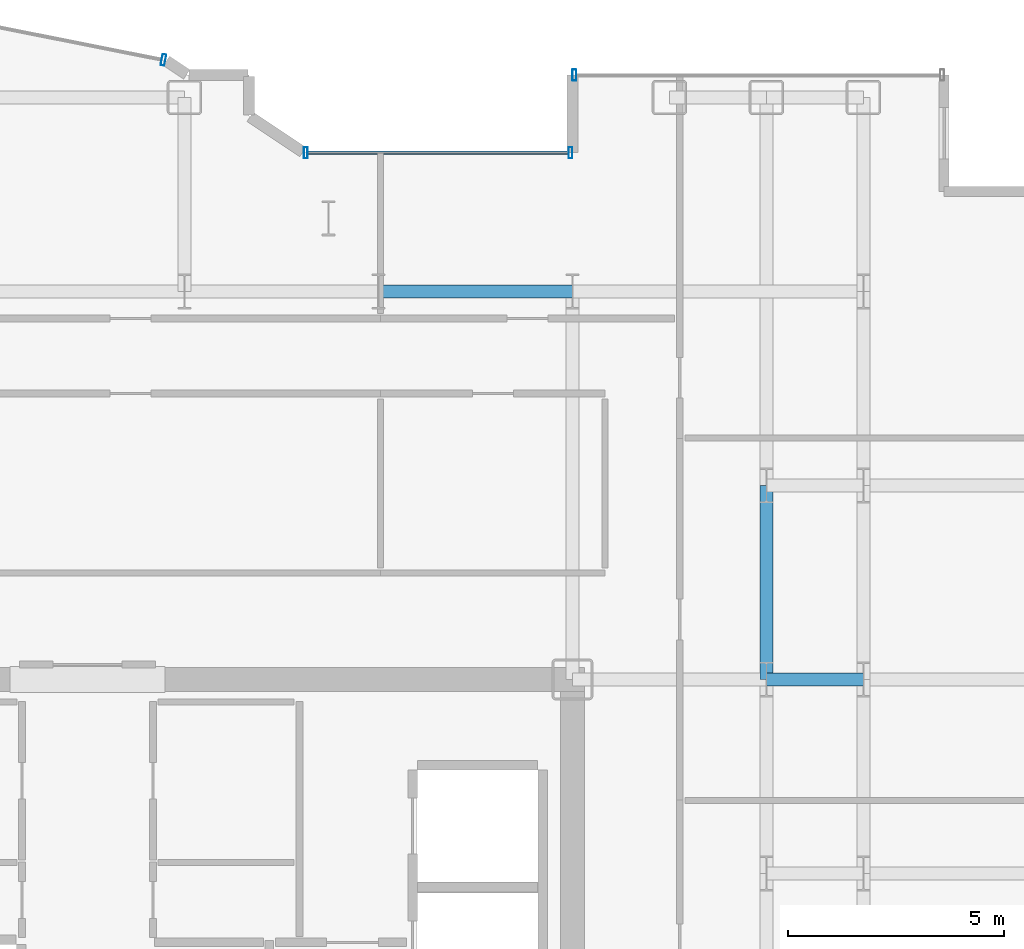
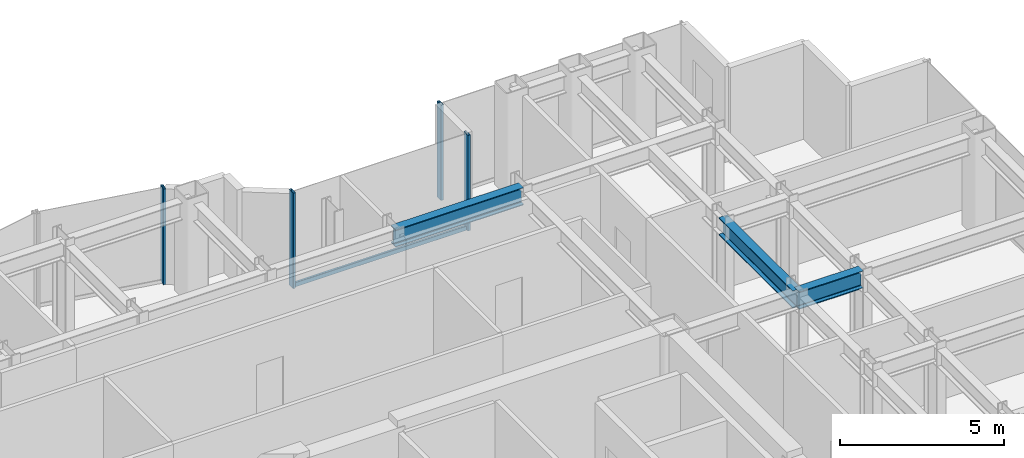
# One storey, part 13 of 23: 5 members, 3 beams, 3 elements without a shape of their own.
"""IFC4 building model written with IfcOpenShell, lengths in metres."""

from ifc_helpers import new_model, si_unit, direction, frame, origin, origin_2d, place, context, subcontext, project, spatial, hollow_rectangle, i_section, extrude, source, transform, mapped, material, layer, layer_set, material_profile, profile_set, type_object, element, aggregate, save


model = new_model("IFC4")

# Units and contexts
model_context = context("Model", 3, precision=1e-05, world=origin(), true_north=direction((0.0, 1.0)))
body_context = subcontext(model_context, "Body", "Model", "MODEL_VIEW")
ifc_project = project(units=[si_unit("LENGTHUNIT", "METRE"), si_unit("AREAUNIT", "SQUARE_METRE"), si_unit("VOLUMEUNIT", "CUBIC_METRE"), si_unit("PLANEANGLEUNIT", "RADIAN"), si_unit("MASSUNIT", "GRAM", prefix="KILO")], contexts=[model_context])

# Site, building, storey
site_placement = place(None, origin())
site = spatial("IfcSite", under=ifc_project, at=site_placement, CompositionType="ELEMENT")
building_placement = place(site_placement, origin())
building = spatial("IfcBuilding", under=site, at=building_placement, Name="Nefas-Gora Pilgrimage Tower", CompositionType="ELEMENT")
storey_placement = place(building_placement, frame((0.0, 0.0, 167.800048828125)))
storey = spatial("IfcBuildingStorey", under=building, at=storey_placement, Name="L41", CompositionType="ELEMENT", Elevation=167.800048828125)

# Beams
ifc_material_1 = material(Name="Steel S355", Category="steel")
ifc_material_profile_1 = material_profile(ifc_material_1, i_section(OverallWidth=0.300048828125, OverallDepth=0.64990234375, WebThickness=0.01611328125, FlangeThickness=0.031005859375, FilletRadius=0.027099609375, at=origin_2d()), Name="HEB 650")
ifc_profile_set_1 = profile_set([ifc_material_profile_1], Name="Steel S355")
beam_type = type_object("IfcBeamType", Name="BM-GIR-HEB650", PredefinedType="BEAM", material=ifc_profile_set_1)
shared_shape_1 = source(origin(), body_context, "Body", "SweptSolid", [
    extrude(i_section(OverallWidth=0.300048828125, OverallDepth=0.64990234375, WebThickness=0.01611328125, FlangeThickness=0.031005859375, FilletRadius=0.027099609375, at=origin_2d()), origin(), (0.0, 0.0, 1.0), 4.5),
])
for number, where, z_axis, x_axis, name in (
    (1, (6.75, 18.0, 3.224853515625), (1.0, 0.0, 0.0), (0.0, 1.0, 0.0), "L41 G-03 beam"),
    (2, (15.75, 9.0, 3.224853515625), (0.0, 1.0, 0.0), (-1.0, 0.0, 0.0), "L41 G-03 beam"),
):
    element("IfcBeam", number, at=place(storey_placement, frame(where, z_axis=z_axis, x_axis=x_axis)), inside=storey, type_object=beam_type, Name=name, PredefinedType="BEAM", context=body_context, shape_type="MappedRepresentation", body=[
        mapped(shared_shape_1, transform((0.0, 0.0, 0.0), x_axis=(1.0, 0.0, 0.0), y_axis=(0.0, 1.0, 0.0), z_axis=(0.0, 0.0, 1.0), scale=1.0)),
    ])
shared_shape_2 = source(origin(), body_context, "Body", "SweptSolid", [
    extrude(i_section(OverallWidth=0.300048828125, OverallDepth=0.64990234375, WebThickness=0.01611328125, FlangeThickness=0.031005859375, FilletRadius=0.027099609375, at=origin_2d()), origin(), (0.0, 0.0, 1.0), 2.25),
])
beam_placement = place(storey_placement, frame((15.75, 9.0, 3.224853515625), z_axis=(1.0, 0.0, 0.0), x_axis=(0.0, 1.0, 0.0)))
element("IfcBeam", 3, at=beam_placement, inside=storey, type_object=beam_type, Name="L41 G-03 beam", PredefinedType="BEAM", context=body_context, shape_type="MappedRepresentation", body=[
    mapped(shared_shape_2, transform((0.0, 0.0, 0.0), x_axis=(1.0, 0.0, 0.0), y_axis=(0.0, 1.0, 0.0), z_axis=(0.0, 0.0, 1.0), scale=1.0)),
])

# Curtain wall, members
ifc_material_2 = material(Name="Dark ceramic-fritted solar-control aluminium-glass curtain wall", Category="aluminium")
ifc_layer_1 = layer(ifc_material_2, 0.219970703125)
ifc_layer_set_1 = layer_set([ifc_layer_1], Name="Dark ceramic-fritted solar-control aluminium-glass curtain wall")
curtain_wall_type_1 = type_object("IfcCurtainWallType", Name="CW-SYS-5", PredefinedType="NOTDEFINED", material=ifc_layer_set_1)
curtain_wall_1_placement = place(storey_placement, origin())
curtain_wall_1 = element("IfcCurtainWall", 4, at=curtain_wall_1_placement, inside=storey, type_object=curtain_wall_type_1, Name="L41 Unitised Curtain Wall CW5", PredefinedType="NOTDEFINED")
ifc_material_3 = material(Name="Anodised architectural aluminium", Category="aluminium")
ifc_material_profile_2 = material_profile(ifc_material_3, hollow_rectangle(XDim=0.090087890625, YDim=0.260009765625, WallThickness=0.006103515625, InnerFilletRadius=0.006103515625, OuterFilletRadius=0.011962890625, at=origin_2d()), Name="ALU MULLION 90x260")
ifc_profile_set_2 = profile_set([ifc_material_profile_2], Name="Anodised architectural aluminium")
member_type_1 = type_object("IfcMemberType", Name="CWM-MUL-5", PredefinedType="MULLION", material=ifc_profile_set_2)
shared_shape_3 = source(origin(), body_context, "Body", "SweptSolid", [
    extrude(hollow_rectangle(XDim=0.090087890625, YDim=0.260009765625, WallThickness=0.006103515625, InnerFilletRadius=0.006103515625, OuterFilletRadius=0.011962890625, at=origin_2d()), origin(), (0.0, 0.0, 1.0), 3.550048828125),
])
member_1_placement = place(storey_placement, frame((11.205078125, 21.219970703125, 0.0), z_axis=(0.0, 0.0, 1.0), x_axis=(-1.0, 0.0, 0.0)))
member_1 = element("IfcMember", 5, at=member_1_placement, type_object=member_type_1, Name="CW5 Mullion 1", PredefinedType="MULLION", context=body_context, shape_type="MappedRepresentation", body=[
    mapped(shared_shape_3, transform((0.0, 0.0, 0.0), x_axis=(1.0, 0.0, 0.0), y_axis=(0.0, 1.0, 0.0), z_axis=(0.0, 0.0, 1.0), scale=1.0)),
])
member_2_placement = place(storey_placement, frame((5.06298828125, 21.219970703125, 0.0), z_axis=(0.0, 0.0, 1.0), x_axis=(-1.0, 0.0, 0.0)))
member_2 = element("IfcMember", 6, at=member_2_placement, type_object=member_type_1, Name="CW5 Mullion 2", PredefinedType="MULLION", context=body_context, shape_type="MappedRepresentation", body=[
    mapped(shared_shape_3, transform((0.0, 0.0, 0.0), x_axis=(1.0, 0.0, 0.0), y_axis=(0.0, 1.0, 0.0), z_axis=(0.0, 0.0, 1.0), scale=1.0)),
])

# Curtain wall, member
curtain_wall_2_placement = place(storey_placement, origin())
curtain_wall_2 = element("IfcCurtainWall", 7, at=curtain_wall_2_placement, inside=storey, type_object=curtain_wall_type_1, Name="L41 Unitised Curtain Wall CW5", PredefinedType="NOTDEFINED")
member_3_placement = place(storey_placement, frame((1.76318359375, 23.3740234375, 0.0), z_axis=(0.0, 0.0, 1.0), x_axis=(-0.980782896852, 0.195102304554, 0.0)))
member_3 = element("IfcMember", 8, at=member_3_placement, type_object=member_type_1, Name="CW5 Mullion 1", PredefinedType="MULLION", context=body_context, shape_type="MappedRepresentation", body=[
    mapped(shared_shape_3, transform((0.0, 0.0, 0.0), x_axis=(1.0, 0.0, 0.0), y_axis=(0.0, 1.0, 0.0), z_axis=(0.0, 0.0, 1.0), scale=1.0)),
])
aggregate(curtain_wall_2, [member_3])

# Member
ifc_material_profile_3 = material_profile(ifc_material_3, hollow_rectangle(XDim=0.080078125, YDim=0.159912109375, WallThickness=0.00439453125, InnerFilletRadius=0.00439453125, OuterFilletRadius=0.009033203125, at=origin_2d()), Name="ALU TRANSOM 80x160")
ifc_profile_set_3 = profile_set([ifc_material_profile_3], Name="Anodised architectural aluminium")
member_type_2 = type_object("IfcMemberType", Name="CWM-TRN-5", PredefinedType="USERDEFINED", material=ifc_profile_set_3)
shared_shape_4 = source(origin(), body_context, "Body", "SweptSolid", [
    extrude(hollow_rectangle(XDim=0.080078125, YDim=0.159912109375, WallThickness=0.00439453125, InnerFilletRadius=0.00439453125, OuterFilletRadius=0.009033203125, at=origin_2d()), origin(), (0.0, 0.0, 1.0), 6.052001953125),
])
member_4_placement = place(storey_placement, frame((11.159912109375, 21.219970703125, 0.050048828125), z_axis=(-1.0, 0.0, 0.0), x_axis=(0.0, -1.0, 0.0)))
member_4 = element("IfcMember", 9, at=member_4_placement, type_object=member_type_2, Name="CW5 Spandrel Transom", ObjectType="TRANSOM", PredefinedType="USERDEFINED", context=body_context, shape_type="MappedRepresentation", body=[
    mapped(shared_shape_4, transform((0.0, 0.0, 0.0), x_axis=(1.0, 0.0, 0.0), y_axis=(0.0, 1.0, 0.0), z_axis=(0.0, 0.0, 1.0), scale=1.0)),
])

aggregate(curtain_wall_1, [member_1, member_2, member_4])

# Curtain wall, member
ifc_layer_2 = layer(ifc_material_2, 0.219970703125)
ifc_layer_set_2 = layer_set([ifc_layer_2], Name="Dark ceramic-fritted solar-control aluminium-glass curtain wall")
curtain_wall_type_2 = type_object("IfcCurtainWallType", Name="CW-SYS-3", PredefinedType="NOTDEFINED", material=ifc_layer_set_2)
curtain_wall_3_placement = place(storey_placement, origin())
curtain_wall_3 = element("IfcCurtainWall", 10, at=curtain_wall_3_placement, inside=storey, type_object=curtain_wall_type_2, Name="L41 Unitised Curtain Wall CW3", PredefinedType="NOTDEFINED")
ifc_material_profile_4 = material_profile(ifc_material_3, hollow_rectangle(XDim=0.090087890625, YDim=0.260009765625, WallThickness=0.006103515625, InnerFilletRadius=0.006103515625, OuterFilletRadius=0.011962890625, at=origin_2d()), Name="ALU MULLION 90x260")
ifc_profile_set_4 = profile_set([ifc_material_profile_4], Name="Anodised architectural aluminium")
member_type_3 = type_object("IfcMemberType", Name="CWM-MUL-3", PredefinedType="MULLION", material=ifc_profile_set_4)
shared_shape_5 = source(origin(), body_context, "Body", "SweptSolid", [
    extrude(hollow_rectangle(XDim=0.090087890625, YDim=0.260009765625, WallThickness=0.006103515625, InnerFilletRadius=0.006103515625, OuterFilletRadius=0.011962890625, at=origin_2d()), origin(), (0.0, 0.0, 1.0), 3.550048828125),
])
member_5_placement = place(storey_placement, frame((11.294921875, 23.02001953125, 0.0), z_axis=(0.0, 0.0, 1.0), x_axis=(-1.0, 0.0, 0.0)))
member_5 = element("IfcMember", 11, at=member_5_placement, type_object=member_type_3, Name="CW3 Mullion 2", PredefinedType="MULLION", context=body_context, shape_type="MappedRepresentation", body=[
    mapped(shared_shape_5, transform((0.0, 0.0, 0.0), x_axis=(1.0, 0.0, 0.0), y_axis=(0.0, 1.0, 0.0), z_axis=(0.0, 0.0, 1.0), scale=1.0)),
])
aggregate(curtain_wall_3, [member_5])

save(model, "model.ifc")
